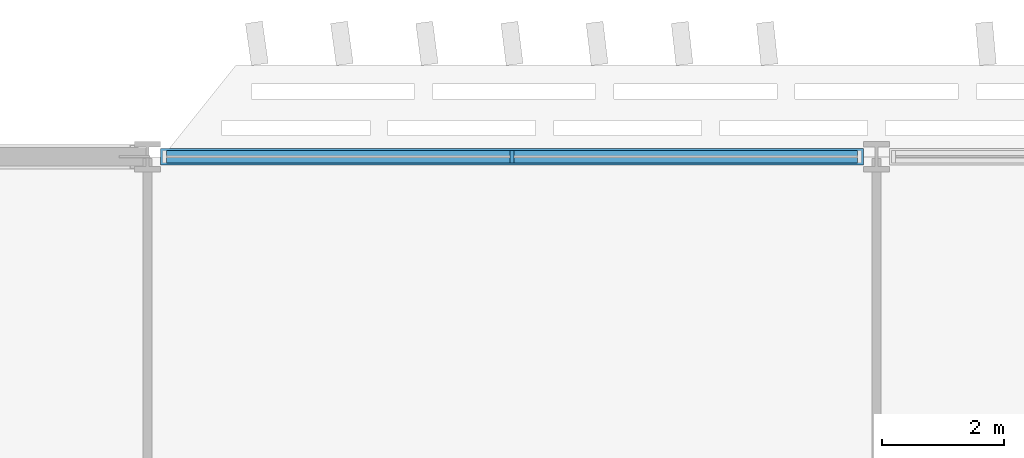
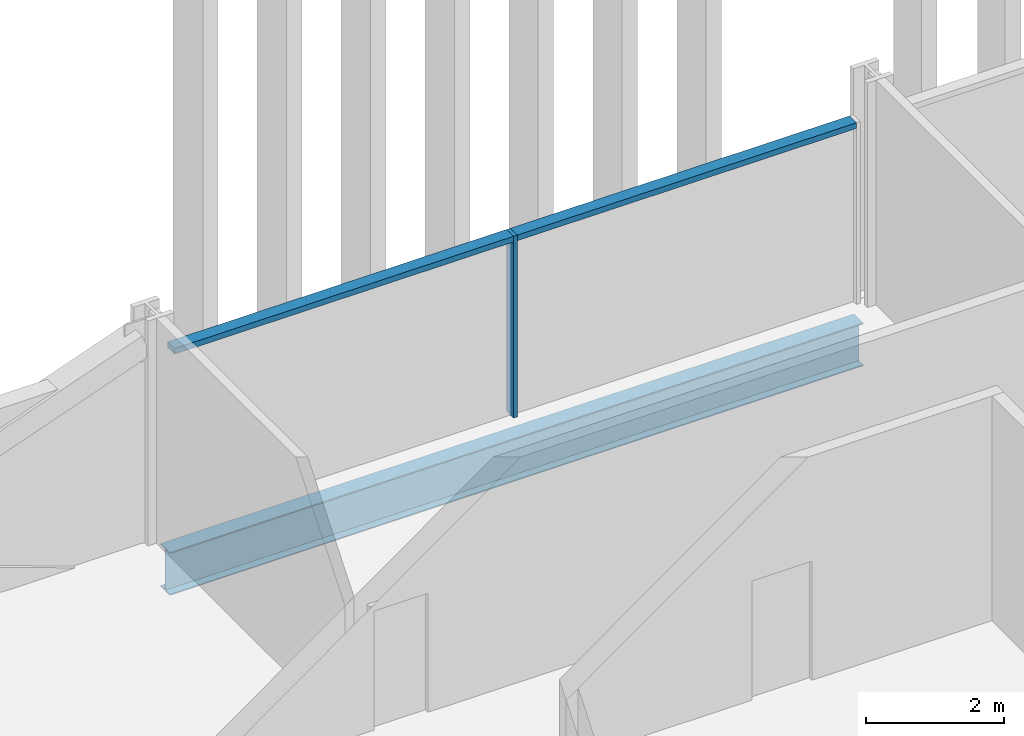
# One storey, part 6 of 31: 3 members, 1 beam, 1 element without a shape of its own.
"""IFC4 building model written with IfcOpenShell, lengths in metres."""

from ifc_helpers import new_model, si_unit, direction, frame, origin, origin_2d, place, context, subcontext, project, spatial, rectangle, i_section, extrude, material, material_profile, profile_set, type_object, element, aggregate, save


model = new_model("IFC4")

# Units and contexts
model_context = context("Model", 3, precision=1e-05, world=origin(), true_north=direction((0.0, 1.0)))
body_context = subcontext(model_context, "Body", "Model", "MODEL_VIEW")
ifc_project = project(units=[si_unit("LENGTHUNIT", "METRE"), si_unit("AREAUNIT", "SQUARE_METRE"), si_unit("VOLUMEUNIT", "CUBIC_METRE"), si_unit("PLANEANGLEUNIT", "RADIAN"), si_unit("MASSUNIT", "GRAM", prefix="KILO")], contexts=[model_context])

# Site, building, storey
site_placement = place(None, origin())
site = spatial("IfcSite", under=ifc_project, at=site_placement, CompositionType="ELEMENT")
building_placement = place(site_placement, origin())
building = spatial("IfcBuilding", under=site, at=building_placement, Name="Mahtab Terrace Research Tower", CompositionType="ELEMENT")
storey_placement = place(building_placement, frame((0.0, 0.0, 11.5)))
storey = spatial("IfcBuildingStorey", under=building, at=storey_placement, Name="L02", CompositionType="ELEMENT", Elevation=11.5)

# Curtain wall, members
ifc_material_1 = material(Name="Laboratory ribbon curtain wall")
curtain_wall_type = type_object("IfcCurtainWallType", Name="Laboratory ribbon curtain wall", PredefinedType="NOTDEFINED", material=ifc_material_1)
curtain_wall_placement = place(storey_placement, origin())
curtain_wall = element("IfcCurtainWall", 1, at=curtain_wall_placement, inside=storey, type_object=curtain_wall_type, Name="EN.L02.3.5", PredefinedType="NOTDEFINED")
ifc_material_2 = material(Name="Natural anodised aluminium", Category="aluminium")
ifc_material_profile_1 = material_profile(ifc_material_2, rectangle(XDim=0.199951171875, YDim=0.06494140625, at=origin_2d()), Name="MULLION 65x200")
ifc_profile_set_1 = profile_set([ifc_material_profile_1], Name="Natural anodised aluminium")
member_type_1 = type_object("IfcMemberType", Name="Laboratory ribbon curtain wall mullion", PredefinedType="MULLION", material=ifc_profile_set_1)
member_1_placement = place(storey_placement, frame((12.0, 23.0, 0.0), z_axis=(0.0, 0.0, 1.0), x_axis=(0.0, -1.0, 0.0)))
member_1 = element("IfcMember", 2, at=member_1_placement, type_object=member_type_1, Name="CWL-1 mullion 2", PredefinedType="MULLION", context=body_context, shape_type="SweptSolid", body=[
    extrude(rectangle(XDim=0.199951171875, YDim=0.06494140625, at=origin_2d()), origin(), (0.0, 0.0, 1.0), 3.203125),
])
ifc_material_profile_2 = material_profile(ifc_material_2, rectangle(XDim=0.199951171875, YDim=0.10009765625, at=origin_2d()), Name="TRANSOM 100x200")
ifc_profile_set_2 = profile_set([ifc_material_profile_2], Name="Natural anodised aluminium")
member_type_2 = type_object("IfcMemberType", Name="Laboratory ribbon curtain wall transom", PredefinedType="USERDEFINED", material=ifc_profile_set_2)
member_2_placement = place(storey_placement, frame((17.68603515625, 23.0, 3.153076171875), z_axis=(-1.0, 0.0, 0.0), x_axis=(0.0, -1.0, 0.0)))
member_2 = element("IfcMember", 3, at=member_2_placement, type_object=member_type_2, Name="CWL-1 transom 1", ObjectType="TRANSOM", PredefinedType="USERDEFINED", context=body_context, shape_type="SweptSolid", body=[
    extrude(rectangle(XDim=0.199951171875, YDim=0.10009765625, at=origin_2d()), origin(), (0.0, 0.0, 1.0), 5.653564453125),
])
member_3_placement = place(storey_placement, frame((11.967529296875, 23.0, 3.153076171875), z_axis=(-1.0, 0.0, 0.0), x_axis=(0.0, -1.0, 0.0)))
member_3 = element("IfcMember", 4, at=member_3_placement, type_object=member_type_2, Name="CWL-1 transom 2", ObjectType="TRANSOM", PredefinedType="USERDEFINED", context=body_context, shape_type="SweptSolid", body=[
    extrude(rectangle(XDim=0.199951171875, YDim=0.10009765625, at=origin_2d()), origin(), (0.0, 0.0, 1.0), 5.653564453125),
])
aggregate(curtain_wall, [member_1, member_2, member_3])

# Beam
ifc_material_3 = material(Name="Steel ASTM A992 Gr 50", Category="steel")
ifc_material_profile_3 = material_profile(ifc_material_3, i_section(OverallWidth=0.2666015625, OverallDepth=0.7568359375, WebThickness=0.013916015625, FlangeThickness=0.019287109375, at=origin_2d()), Name="W30X108")
ifc_profile_set_3 = profile_set([ifc_material_profile_3], Name="Steel ASTM A992 Gr 50")
beam_type = type_object("IfcBeamType", Name="W30x108 beam BS30108", PredefinedType="BEAM", material=ifc_profile_set_3)
beam_placement = place(storey_placement, frame((17.7841796875, 23.0, -0.718505859375), z_axis=(-1.0, 0.0, 0.0), x_axis=(0.0, -1.0, 0.0)))
element("IfcBeam", 5, at=beam_placement, inside=storey, type_object=beam_type, Name="Spandrel beam L02 03", PredefinedType="BEAM", context=body_context, shape_type="SweptSolid", body=[
    extrude(i_section(OverallWidth=0.2666015625, OverallDepth=0.7568359375, WebThickness=0.013916015625, FlangeThickness=0.019287109375, at=origin_2d()), origin(), (0.0, 0.0, 1.0), 11.568359375),
])

save(model, "model.ifc")
